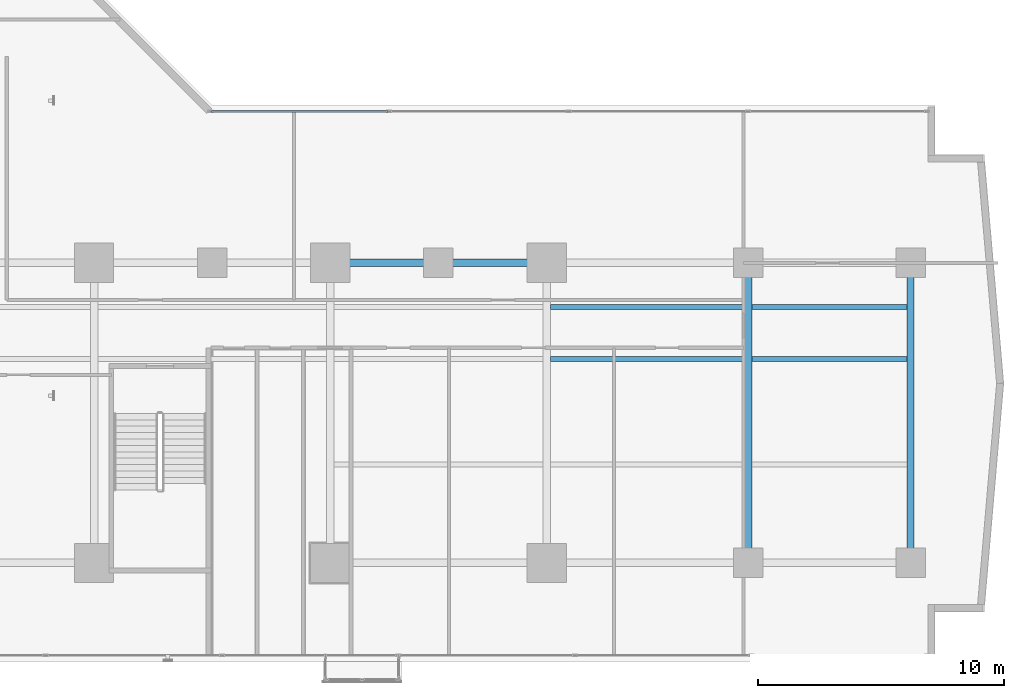
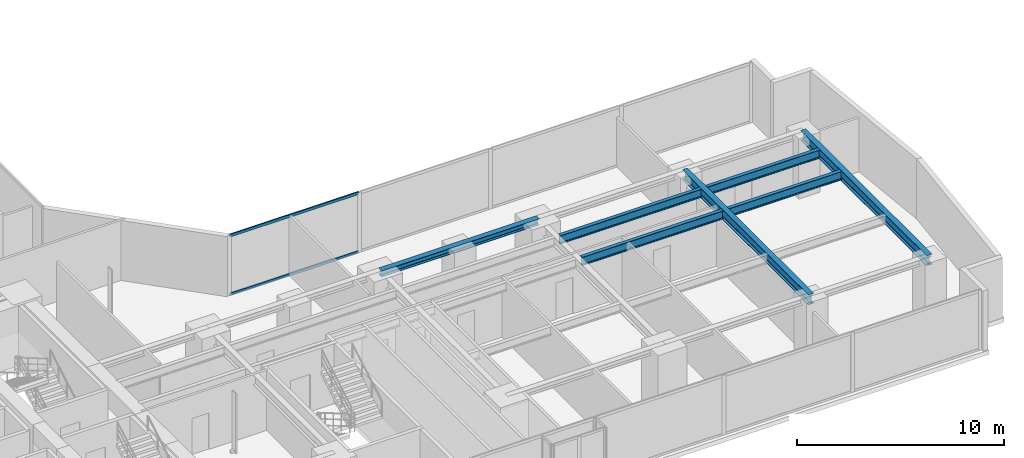
# One storey, part 12 of 28: 7 beams, 2 members, 1 element without a shape of its own.
"""IFC4 building model written with IfcOpenShell, lengths in metres."""

from ifc_helpers import new_model, si_unit, direction, frame, origin, origin_with_axes, origin_2d, place, context, subcontext, project, spatial, hollow_rectangle, i_section, extrude, source, transform, mapped, material, layer, layer_set, material_profile, profile_set, type_object, element, aggregate, save


model = new_model("IFC4")

# Units and contexts
model_context = context("Model", 3, precision=1e-05, world=origin(), true_north=direction((0.0, 1.0)))
body_context = subcontext(model_context, "Body", "Model", "MODEL_VIEW")
ifc_project = project(units=[si_unit("LENGTHUNIT", "METRE"), si_unit("AREAUNIT", "SQUARE_METRE"), si_unit("VOLUMEUNIT", "CUBIC_METRE"), si_unit("PLANEANGLEUNIT", "RADIAN"), si_unit("MASSUNIT", "GRAM", prefix="KILO")], contexts=[model_context])

# Site, building, storey
site_placement = place(None, origin())
site = spatial("IfcSite", under=ifc_project, at=site_placement, CompositionType="ELEMENT")
building_placement = place(site_placement, origin())
building = spatial("IfcBuilding", under=site, at=building_placement, Name="Kolvaren Waterfront Exchange", CompositionType="ELEMENT")
storey_placement = place(building_placement, frame((0.0, 0.0, 56.199951171875)))
storey = spatial("IfcBuildingStorey", under=building, at=storey_placement, Name="L14", CompositionType="ELEMENT", Elevation=56.199951171875)

# Beams
ifc_material_1 = material(Name="Steel S355", Category="steel")
ifc_material_profile_1 = material_profile(ifc_material_1, i_section(OverallWidth=0.300048828125, OverallDepth=0.360107421875, WebThickness=0.012451171875, FlangeThickness=0.0224609375, FilletRadius=0.027099609375, at=origin_2d()), Name="HEB360")
ifc_profile_set_1 = profile_set([ifc_material_profile_1], Name="Steel S355")
beam_type_1 = type_object("IfcBeamType", Name="STR-BM-HEB360", PredefinedType="SPANDREL", material=ifc_profile_set_1)
beam_placement = place(storey_placement, frame((36.800048828125, 17.39990234375, 3.360107421875), z_axis=(1.0, 0.0, 0.0), x_axis=(0.0, 1.0, 0.0)))
element("IfcBeam", 1, at=beam_placement, inside=storey, type_object=beam_type_1, Name="L14 east-arm spandrel N3", PredefinedType="SPANDREL", context=body_context, shape_type="SweptSolid", body=[
    extrude(i_section(OverallWidth=0.300048828125, OverallDepth=0.360107421875, WebThickness=0.012451171875, FlangeThickness=0.0224609375, FilletRadius=0.027099609375, at=origin_2d()), origin(), (0.0, 0.0, 1.0), 8.800048828125),
])
ifc_material_profile_2 = material_profile(ifc_material_1, i_section(OverallWidth=0.300048828125, OverallDepth=0.60009765625, WebThickness=0.015380859375, FlangeThickness=0.030029296875, FilletRadius=0.027099609375, at=origin_2d()), Name="HEB600")
ifc_profile_set_2 = profile_set([ifc_material_profile_2], Name="Steel S355")
beam_type_2 = type_object("IfcBeamType", Name="STR-BM-HEB600", PredefinedType="BEAM", material=ifc_profile_set_2)
for number, where, z_axis, x_axis, name in (
    (2, (53.800048828125, 5.199951171875, 3.239990234375), (0.0, 1.0, 0.0), (-1.0, 0.0, 0.0), "L14 east-arm transverse girder X53"),
    (3, (60.39990234375, 5.199951171875, 3.239990234375), (0.0, 1.0, 0.0), (-1.0, 0.0, 0.0), "L14 east-arm transverse girder X60"),
):
    element("IfcBeam", number, at=place(storey_placement, frame(where, z_axis=z_axis, x_axis=x_axis)), inside=storey, type_object=beam_type_2, Name=name, PredefinedType="BEAM", context=body_context, shape_type="SweptSolid", body=[
        extrude(i_section(OverallWidth=0.300048828125, OverallDepth=0.60009765625, WebThickness=0.015380859375, FlangeThickness=0.030029296875, FilletRadius=0.027099609375, at=origin_2d()), origin(), (0.0, 0.0, 1.0), 12.199951171875),
    ])
ifc_material_profile_3 = material_profile(ifc_material_1, i_section(OverallWidth=0.199951171875, OverallDepth=0.5, WebThickness=0.01025390625, FlangeThickness=0.01611328125, FilletRadius=0.02099609375, at=origin_2d()), Name="IPE500")
ifc_profile_set_3 = profile_set([ifc_material_profile_3], Name="Steel S355")
beam_type_3 = type_object("IfcBeamType", Name="STR-BM-IPE500", PredefinedType="JOIST", material=ifc_profile_set_3)
for number, where, z_axis, x_axis, name in (
    (4, (45.751953125, 13.5, 3.2900390625), (1.0, 0.0, 0.0), (0.0, 1.0, 0.0), "L14 east-arm composite joist 4A"),
    (5, (45.751953125, 15.60009765625, 3.2900390625), (1.0, 0.0, 0.0), (0.0, 1.0, 0.0), "L14 east-arm composite joist 4C"),
):
    element("IfcBeam", number, at=place(storey_placement, frame(where, z_axis=z_axis, x_axis=x_axis)), inside=storey, type_object=beam_type_3, Name=name, PredefinedType="JOIST", context=body_context, shape_type="SweptSolid", body=[
        extrude(i_section(OverallWidth=0.199951171875, OverallDepth=0.5, WebThickness=0.01025390625, FlangeThickness=0.01611328125, FilletRadius=0.02099609375, at=origin_2d()), origin(), (0.0, 0.0, 1.0), 7.89599609375),
    ])
for number, where, z_axis, x_axis, name in (
    (6, (53.951904296875, 13.5, 3.2900390625), (1.0, 0.0, 0.0), (0.0, 1.0, 0.0), "L14 east-arm composite joist 5A"),
    (7, (53.951904296875, 15.60009765625, 3.2900390625), (1.0, 0.0, 0.0), (0.0, 1.0, 0.0), "L14 east-arm composite joist 5C"),
):
    element("IfcBeam", number, at=place(storey_placement, frame(where, z_axis=z_axis, x_axis=x_axis)), inside=storey, type_object=beam_type_3, Name=name, PredefinedType="JOIST", context=body_context, shape_type="SweptSolid", body=[
        extrude(i_section(OverallWidth=0.199951171875, OverallDepth=0.5, WebThickness=0.01025390625, FlangeThickness=0.01611328125, FilletRadius=0.02099609375, at=origin_2d()), origin(), (0.0, 0.0, 1.0), 6.296142578125),
    ])

# Curtain wall, members
ifc_material_2 = material(Name="Anodised bronze aluminium 6063-T6", Category="aluminium")
ifc_layer = layer(ifc_material_2, 0.219970703125, Name="Anodised bronze aluminium 6063-T6")
ifc_layer_set = layer_set([ifc_layer], Name="Anodised bronze aluminium 6063-T6")
curtain_wall_type = type_object("IfcCurtainWallType", Name="ARC-CW-SYS1", PredefinedType="USERDEFINED", material=ifc_layer_set)
curtain_wall_placement = place(storey_placement, origin())
curtain_wall = element("IfcCurtainWall", 8, at=curtain_wall_placement, inside=storey, type_object=curtain_wall_type, Name="L14 stick curtain wall CW1 (CW-L14-EN)", ObjectType="STICK CURTAIN WALL", PredefinedType="USERDEFINED")
ifc_material_3 = material(Name="Anodised aluminium 6063-T6", Category="aluminium")
ifc_material_profile_4 = material_profile(ifc_material_3, hollow_rectangle(XDim=0.074951171875, YDim=0.159912109375, WallThickness=0.00439453125, at=origin_2d()), Name="ALU-TRN-160x75x4.5")
ifc_profile_set_4 = profile_set([ifc_material_profile_4], Name="Anodised aluminium 6063-T6")
member_type = type_object("IfcMemberType", Name="ARC-CWT-160", PredefinedType="USERDEFINED", material=ifc_profile_set_4)
shared_shape = source(origin_with_axes(), body_context, "Body", "SweptSolid", [
    extrude(hollow_rectangle(XDim=0.074951171875, YDim=0.159912109375, WallThickness=0.00439453125, at=origin_2d()), origin(), (0.0, 0.0, 1.0), 7.1826171875),
])
member_1_placement = place(storey_placement, frame((31.969970703125, 23.56005859375, 0.03759765625), z_axis=(1.0, 0.0, 0.0), x_axis=(0.0, 1.0, 0.0)))
member_1 = element("IfcMember", 9, at=member_1_placement, type_object=member_type, Name="CW1 transom 1.1", ObjectType="TRANSOM", PredefinedType="USERDEFINED", context=body_context, shape_type="MappedRepresentation", body=[
    mapped(shared_shape, transform((0.0, 0.0, 0.0), x_axis=(1.0, 0.0, 0.0), y_axis=(0.0, 1.0, 0.0), z_axis=(0.0, 0.0, 1.0), scale=1.0)),
])
member_2_placement = place(storey_placement, frame((31.969970703125, 23.56005859375, 3.50244140625), z_axis=(1.0, 0.0, 0.0), x_axis=(0.0, 1.0, 0.0)))
member_2 = element("IfcMember", 10, at=member_2_placement, type_object=member_type, Name="CW1 transom 1.2", ObjectType="TRANSOM", PredefinedType="USERDEFINED", context=body_context, shape_type="MappedRepresentation", body=[
    mapped(shared_shape, transform((0.0, 0.0, 0.0), x_axis=(1.0, 0.0, 0.0), y_axis=(0.0, 1.0, 0.0), z_axis=(0.0, 0.0, 1.0), scale=1.0)),
])
aggregate(curtain_wall, [member_1, member_2])

save(model, "model.ifc")
